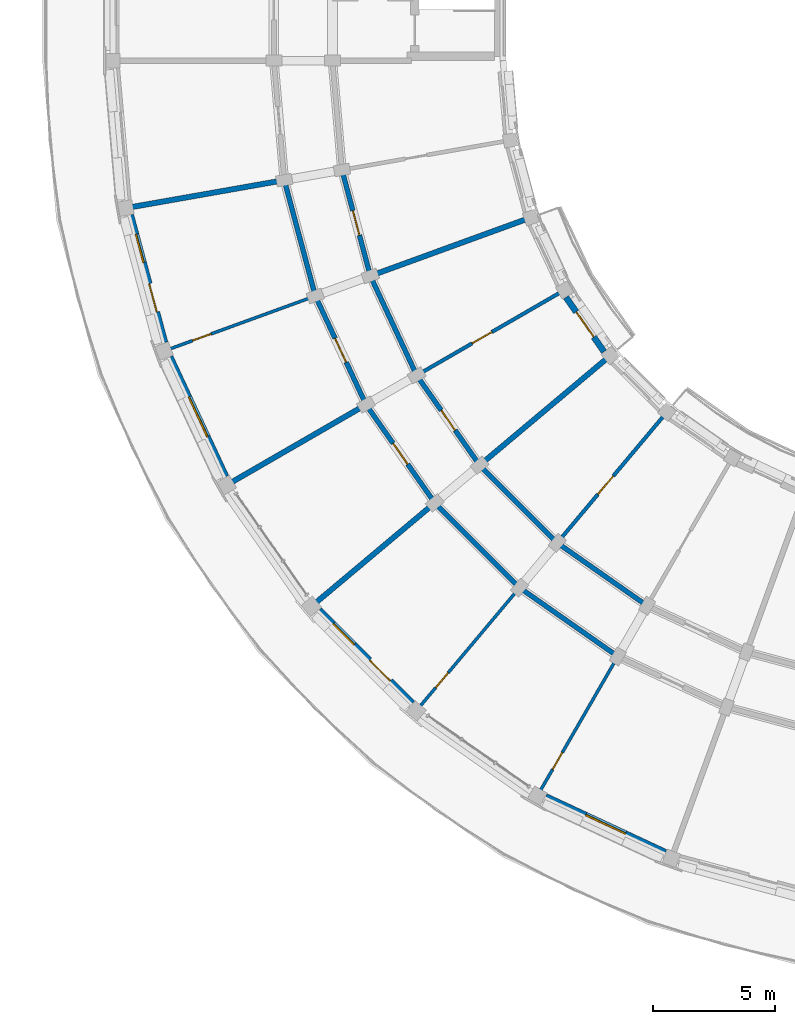
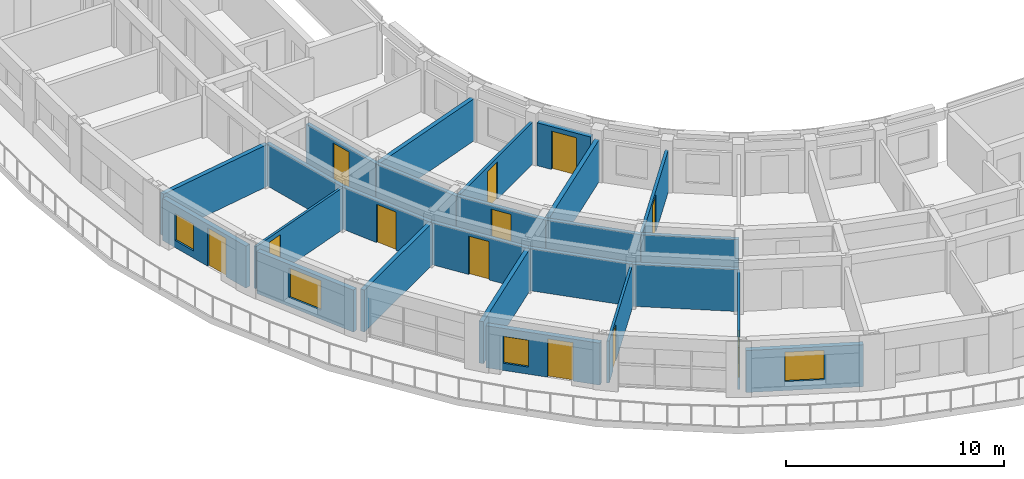
# One storey, part 16 of 53: 25 walls, 12 doors, 4 windows, 16 openings.
"""IFC4 building model written with IfcOpenShell, lengths in metres."""

from ifc_helpers import new_model, si_unit, direction, frame, frame_2d, origin, place, context, subcontext, project, spatial, rectangle, extrude, material, layer, layer_set, type_object, element, fill, save


model = new_model("IFC4")

# Units and contexts
model_context = context("Model", 3, precision=1e-05, world=origin(), true_north=direction((0.0, 1.0)))
body_context = subcontext(model_context, "Body", "Model", "MODEL_VIEW")
ifc_project = project(units=[si_unit("LENGTHUNIT", "METRE"), si_unit("AREAUNIT", "SQUARE_METRE"), si_unit("VOLUMEUNIT", "CUBIC_METRE"), si_unit("PLANEANGLEUNIT", "RADIAN"), si_unit("MASSUNIT", "GRAM", prefix="KILO")], contexts=[model_context])

# Site, building, storey
site_placement = place(None, origin())
site = spatial("IfcSite", under=ifc_project, at=site_placement, CompositionType="ELEMENT")
building_placement = place(site_placement, origin())
building = spatial("IfcBuilding", under=site, at=building_placement, Name="Kiranvali Square Residences", CompositionType="ELEMENT")
storey_placement = place(building_placement, frame((0.0, 0.0, 30.75)))
storey = spatial("IfcBuildingStorey", under=building, at=storey_placement, Name="L09", CompositionType="ELEMENT", Elevation=30.75)

# Walls
ifc_material_1 = material(Name="Autoclaved aerated concrete blockwork masonry", Category="masonry")
ifc_layer_1 = layer(ifc_material_1, 0.199951171875)
ifc_layer_set_1 = layer_set([ifc_layer_1], Name="Autoclaved aerated concrete blockwork masonry")
wall_type_1 = type_object("IfcWallType", Name="WL-COR-200", PredefinedType="STANDARD", material=ifc_layer_set_1)
wall_1_placement = place(storey_placement, frame((35.300048828125, 25.8564453125, 0.0), z_axis=(0.0, 0.0, 1.0), x_axis=(-0.819155404658, 0.573571637217, 0.0)))
element("IfcWall", 1, at=wall_1_placement, inside=storey, type_object=wall_type_1, Name="L09 architectural wall WL-L09-C-CCI-3", PredefinedType="STANDARD", context=body_context, shape_type="SweptSolid", body=[
    extrude(rectangle(XDim=4.497314453125, YDim=0.199951171875, at=frame_2d((2.24853515625, 0.0))), origin(), (0.0, 0.0, 1.0), 2.35205078125),
])
wall_2_placement = place(storey_placement, frame((34.10009765625, 23.778076171875, 0.0), z_axis=(0.0, 0.0, 1.0), x_axis=(-0.819140911474, 0.573592335331, 0.0)))
element("IfcWall", 2, at=wall_2_placement, inside=storey, type_object=wall_type_1, Name="L09 architectural wall WL-L09-C-CCO-3", PredefinedType="STANDARD", context=body_context, shape_type="SweptSolid", body=[
    extrude(rectangle(XDim=4.915771484375, YDim=0.199951171875, at=frame_2d((2.4580078125, 0.0))), origin(), (0.0, 0.0, 1.0), 2.35205078125),
])
wall_3_placement = place(storey_placement, frame((31.615966796875, 28.43603515625, 0.0), z_axis=(0.0, 0.0, 1.0), x_axis=(-0.707106781187, 0.707106781187, 0.0)))
element("IfcWall", 3, at=wall_3_placement, inside=storey, type_object=wall_type_1, Name="L09 architectural wall WL-L09-C-CCI-4", PredefinedType="STANDARD", context=body_context, shape_type="SweptSolid", body=[
    extrude(rectangle(XDim=4.4970703125, YDim=0.199951171875, at=frame_2d((2.24853515625, 0.0))), origin(), (0.0, 0.0, 1.0), 2.35205078125),
])
wall_4_placement = place(storey_placement, frame((30.073486328125, 26.59765625, 0.0), z_axis=(0.0, 0.0, 1.0), x_axis=(-0.707106781187, 0.707106781187, 0.0)))
element("IfcWall", 4, at=wall_4_placement, inside=storey, type_object=wall_type_1, Name="L09 architectural wall WL-L09-C-CCO-4", PredefinedType="STANDARD", context=body_context, shape_type="SweptSolid", body=[
    extrude(rectangle(XDim=4.91552734375, YDim=0.199951171875, at=frame_2d((2.457763671875, 0.0))), origin(), (0.0, 0.0, 1.0), 2.35205078125),
])

# Wall, opening, door
wall_5_placement = place(storey_placement, frame((28.43603515625, 31.615966796875, 0.0), z_axis=(0.0, 0.0, 1.0), x_axis=(-0.573571637217, 0.819155404658, 0.0)))
wall_5 = element("IfcWall", 5, at=wall_5_placement, inside=storey, type_object=wall_type_1, Name="L09 architectural wall WL-L09-C-CCI-5", PredefinedType="STANDARD", context=body_context, shape_type="SweptSolid", body=[
    extrude(rectangle(XDim=4.497314453125, YDim=0.199951171875, at=frame_2d((2.24853515625, 0.0))), origin(), (0.0, 0.0, 1.0), 2.35205078125),
])
opening_1_placement = place(wall_5_placement, frame((1.74853515625, 0.0, 0.0)))
opening_1 = element("IfcOpeningElement", 6, at=opening_1_placement, cuts=wall_5, Name="Opening FD-APT-60", PredefinedType="OPENING", context=body_context, shape_type="SweptSolid", body=[
    extrude(rectangle(XDim=1.0, YDim=2.14990234375, at=frame_2d((0.5, 1.074951171875))), frame((0.0, 0.10986328125, 0.0), z_axis=(0.0, -1.0, 0.0), x_axis=(1.0, 0.0, 0.0)), (0.0, 0.0, 1.0), 0.219970703125),
])
ifc_material_2 = material(Name="Fire-rated acoustic hardwood and mineral-core door assembly", Category="wood")
door_type_1 = type_object("IfcDoorType", Name="DR-APT-1000", OperationType="NOTDEFINED", PredefinedType="DOOR", material=ifc_material_2)
door_1_placement = place(opening_1_placement, frame((1.0, 0.0, 0.0), z_axis=(0.0, 0.0, 1.0), x_axis=(-1.0, 0.0, 0.0)))
door_1 = element("IfcDoor", 7, at=door_1_placement, inside=storey, type_object=door_type_1, Name="L09 door DR-L09-2288 (DR-APT-1000)", OperationType="SINGLE_SWING_RIGHT", OverallHeight=2.14990234375, OverallWidth=1.0, PredefinedType="DOOR", context=body_context, shape_type="SweptSolid", body=[
    extrude(rectangle(XDim=1.0, YDim=2.14990234375, at=frame_2d((0.5, 1.074951171875))), frame((0.0, 0.02490234375, 0.0), z_axis=(0.0, -1.0, 0.0), x_axis=(1.0, 0.0, 0.0)), (0.0, 0.0, 1.0), 0.050048828125),
])
fill(opening_1, door_1)

wall_6_placement = place(storey_placement, frame((26.59765625, 30.073486328125, 0.0), z_axis=(0.0, 0.0, 1.0), x_axis=(-0.573592335331, 0.819140911474, 0.0)))
wall_6 = element("IfcWall", 8, at=wall_6_placement, inside=storey, type_object=wall_type_1, Name="L09 architectural wall WL-L09-C-CCO-5", PredefinedType="STANDARD", context=body_context, shape_type="SweptSolid", body=[
    extrude(rectangle(XDim=4.915771484375, YDim=0.199951171875, at=frame_2d((2.4580078125, 0.0))), origin(), (0.0, 0.0, 1.0), 2.35205078125),
])
opening_2_placement = place(wall_6_placement, frame((1.937744140625, 0.0, 0.0)))
opening_2 = element("IfcOpeningElement", 9, at=opening_2_placement, cuts=wall_6, Name="Opening FD-APT-60B", PredefinedType="OPENING", context=body_context, shape_type="SweptSolid", body=[
    extrude(rectangle(XDim=1.0400390625, YDim=2.14990234375, at=frame_2d((0.52001953125, 1.074951171875))), frame((0.0, 0.10986328125, 0.0), z_axis=(0.0, -1.0, 0.0), x_axis=(1.0, 0.0, 0.0)), (0.0, 0.0, 1.0), 0.219970703125),
])
door_type_2 = type_object("IfcDoorType", Name="DR-APT-1040", OperationType="NOTDEFINED", PredefinedType="DOOR", material=ifc_material_2)
door_2_placement = place(opening_2_placement, origin())
door_2 = element("IfcDoor", 10, at=door_2_placement, inside=storey, type_object=door_type_2, Name="L09 door DR-L09-2283 (DR-APT-1040)", OperationType="SINGLE_SWING_LEFT", OverallHeight=2.14990234375, OverallWidth=1.0400390625, PredefinedType="DOOR", context=body_context, shape_type="SweptSolid", body=[
    extrude(rectangle(XDim=1.0400390625, YDim=2.14990234375, at=frame_2d((0.52001953125, 1.074951171875))), frame((0.0, 0.02490234375, 0.0), z_axis=(0.0, -1.0, 0.0), x_axis=(1.0, 0.0, 0.0)), (0.0, 0.0, 1.0), 0.050048828125),
])
fill(opening_2, door_2)

# Wall
wall_7_placement = place(storey_placement, frame((25.8564453125, 35.300048828125, 0.0), z_axis=(0.0, 0.0, 1.0), x_axis=(-0.422617978463, 0.906307919131, 0.0)))
element("IfcWall", 11, at=wall_7_placement, inside=storey, type_object=wall_type_1, Name="L09 architectural wall WL-L09-C-CCI-6", PredefinedType="STANDARD", context=body_context, shape_type="SweptSolid", body=[
    extrude(rectangle(XDim=4.497314453125, YDim=0.199951171875, at=frame_2d((2.24853515625, 0.0))), origin(), (0.0, 0.0, 1.0), 2.35205078125),
])

# Wall, opening, door
wall_8_placement = place(storey_placement, frame((23.778076171875, 34.10009765625, 0.0), z_axis=(0.0, 0.0, 1.0), x_axis=(-0.422629854778, 0.906302381024, 0.0)))
wall_8 = element("IfcWall", 12, at=wall_8_placement, inside=storey, type_object=wall_type_1, Name="L09 architectural wall WL-L09-C-CCO-6", PredefinedType="STANDARD", context=body_context, shape_type="SweptSolid", body=[
    extrude(rectangle(XDim=4.915283203125, YDim=0.199951171875, at=frame_2d((2.45751953125, 0.0))), origin(), (0.0, 0.0, 1.0), 2.35205078125),
])
opening_3_placement = place(wall_8_placement, frame((1.917724609375, 0.0, 0.0)))
opening_3 = element("IfcOpeningElement", 13, at=opening_3_placement, cuts=wall_8, Name="Opening FD-APT-60C", PredefinedType="OPENING", context=body_context, shape_type="SweptSolid", body=[
    extrude(rectangle(XDim=1.080078125, YDim=2.14990234375, at=frame_2d((0.5400390625, 1.074951171875))), frame((0.0, 0.10986328125, 0.0), z_axis=(0.0, -1.0, 0.0), x_axis=(1.0, 0.0, 0.0)), (0.0, 0.0, 1.0), 0.219970703125),
])
door_type_3 = type_object("IfcDoorType", Name="DR-APT-1080", OperationType="NOTDEFINED", PredefinedType="DOOR", material=ifc_material_2)
door_3_placement = place(opening_3_placement, frame((1.080078125, 0.0, 0.0), z_axis=(0.0, 0.0, 1.0), x_axis=(-1.0, 0.0, 0.0)))
door_3 = element("IfcDoor", 14, at=door_3_placement, inside=storey, type_object=door_type_3, Name="L09 door DR-L09-2284 (DR-APT-1080)", OperationType="SINGLE_SWING_RIGHT", OverallHeight=2.14990234375, OverallWidth=1.080078125, PredefinedType="DOOR", context=body_context, shape_type="SweptSolid", body=[
    extrude(rectangle(XDim=1.080078125, YDim=2.14990234375, at=frame_2d((0.5400390625, 1.074951171875))), frame((0.0, 0.02490234375, 0.0), z_axis=(0.0, -1.0, 0.0), x_axis=(1.0, 0.0, 0.0)), (0.0, 0.0, 1.0), 0.050048828125),
])
fill(opening_3, door_3)

wall_9_placement = place(storey_placement, frame((23.955810546875, 39.3759765625, 0.0), z_axis=(0.0, 0.0, 1.0), x_axis=(-0.258787642463, 0.965934240054, 0.0)))
wall_9 = element("IfcWall", 15, at=wall_9_placement, inside=storey, type_object=wall_type_1, Name="L09 architectural wall WL-L09-C-CCI-7", PredefinedType="STANDARD", context=body_context, shape_type="SweptSolid", body=[
    extrude(rectangle(XDim=4.497314453125, YDim=0.199951171875, at=frame_2d((2.24853515625, 0.0))), origin(), (0.0, 0.0, 1.0), 2.35205078125),
])
opening_4_placement = place(wall_9_placement, frame((1.728515625, 0.0, 0.0)))
opening_4 = element("IfcOpeningElement", 16, at=opening_4_placement, cuts=wall_9, Name="Opening FD-APT-60B", PredefinedType="OPENING", context=body_context, shape_type="SweptSolid", body=[
    extrude(rectangle(XDim=1.0400390625, YDim=2.14990234375, at=frame_2d((0.52001953125, 1.074951171875))), frame((0.0, 0.10986328125, 0.0), z_axis=(0.0, -1.0, 0.0), x_axis=(1.0, 0.0, 0.0)), (0.0, 0.0, 1.0), 0.219970703125),
])
door_4_placement = place(opening_4_placement, origin())
door_4 = element("IfcDoor", 17, at=door_4_placement, inside=storey, type_object=door_type_2, Name="L09 door DR-L09-2289 (DR-APT-1040)", OperationType="SINGLE_SWING_LEFT", OverallHeight=2.14990234375, OverallWidth=1.0400390625, PredefinedType="DOOR", context=body_context, shape_type="SweptSolid", body=[
    extrude(rectangle(XDim=1.0400390625, YDim=2.14990234375, at=frame_2d((0.52001953125, 1.074951171875))), frame((0.0, 0.02490234375, 0.0), z_axis=(0.0, -1.0, 0.0), x_axis=(1.0, 0.0, 0.0)), (0.0, 0.0, 1.0), 0.050048828125),
])
fill(opening_4, door_4)

# Walls
wall_10_placement = place(storey_placement, frame((21.70068359375, 38.554931640625, 0.0), z_axis=(0.0, 0.0, 1.0), x_axis=(-0.258803112091, 0.965930095386, 0.0)))
element("IfcWall", 18, at=wall_10_placement, inside=storey, type_object=wall_type_1, Name="L09 architectural wall WL-L09-C-CCO-7", PredefinedType="STANDARD", context=body_context, shape_type="SweptSolid", body=[
    extrude(rectangle(XDim=4.915771484375, YDim=0.199951171875, at=frame_2d((2.4580078125, 0.0))), origin(), (0.0, 0.0, 1.0), 2.35205078125),
])
ifc_layer_2 = layer(ifc_material_1, 0.219970703125)
ifc_layer_set_2 = layer_set([ifc_layer_2], Name="Autoclaved aerated concrete blockwork masonry")
wall_type_2 = type_object("IfcWallType", Name="WL-DEM-220", PredefinedType="STANDARD", material=ifc_layer_set_2)
wall_11_placement = place(storey_placement, frame((33.645263671875, 35.987060546875, 0.0), z_axis=(0.0, 0.0, 1.0), x_axis=(-0.766046761698, -0.642784846501, 0.0)))
element("IfcWall", 19, at=wall_11_placement, inside=storey, type_object=wall_type_2, Name="L09 architectural wall WL-L09-C-RADI-5", PredefinedType="STANDARD", context=body_context, shape_type="SweptSolid", body=[
    extrude(rectangle(XDim=6.75, YDim=0.219970703125, at=frame_2d((3.375, 0.0))), origin(), (0.0, 0.0, 1.0), 2.35205078125),
])
for number, where, z_axis, x_axis, name in (
    (20, (26.52099609375, 30.009033203125, 0.0), (0.0, 0.0, 1.0), (-0.766058117009, -0.642771313427, 0.0), "L09 architectural wall WL-L09-C-RADO-5"),
    (21, (23.69140625, 34.050048828125, 0.0), (0.0, 0.0, 1.0), (-0.866019562905, -0.500010116563, 0.0), "L09 architectural wall WL-L09-C-RADO-6"),
):
    element("IfcWall", number, at=place(storey_placement, frame(where, z_axis=z_axis, x_axis=x_axis)), inside=storey, type_object=wall_type_2, Name=name, PredefinedType="STANDARD", context=body_context, shape_type="SweptSolid", body=[
        extrude(rectangle(XDim=6.219970703125, YDim=0.219970703125, at=frame_2d((3.10986328125, 0.0))), origin(), (0.0, 0.0, 1.0), 2.35205078125),
    ])
wall_12_placement = place(storey_placement, frame((30.345947265625, 41.70166015625, 0.0), z_axis=(0.0, 0.0, 1.0), x_axis=(-0.939696231917, -0.342010221662, 0.0)))
element("IfcWall", 22, at=wall_12_placement, inside=storey, type_object=wall_type_2, Name="L09 architectural wall WL-L09-C-RADI-7", PredefinedType="STANDARD", context=body_context, shape_type="SweptSolid", body=[
    extrude(rectangle(XDim=6.75, YDim=0.219970703125, at=frame_2d((3.375, 0.0))), origin(), (0.0, 0.0, 1.0), 2.35205078125),
])
wall_13_placement = place(storey_placement, frame((20.329833984375, 43.28564453125, 0.0), z_axis=(0.0, 0.0, 1.0), x_axis=(-0.98480804799, -0.173646504755, 0.0)))
element("IfcWall", 23, at=wall_13_placement, inside=storey, type_object=wall_type_2, Name="L09 architectural wall WL-L09-C-RADO-8", PredefinedType="STANDARD", context=body_context, shape_type="SweptSolid", body=[
    extrude(rectangle(XDim=6.219970703125, YDim=0.219970703125, at=frame_2d((3.10986328125, 0.0))), origin(), (0.0, 0.0, 1.0), 2.35205078125),
])

# Wall, opening, window
ifc_material_3 = material(Name="Breathable lime-rendered clay brick masonry", Category="masonry")
ifc_layer_3 = layer(ifc_material_3, 0.25)
ifc_layer_set_3 = layer_set([ifc_layer_3], Name="Breathable lime-rendered clay brick masonry")
wall_type_3 = type_object("IfcWallType", Name="WL-EXT-250", PredefinedType="STANDARD", material=ifc_layer_set_3)
wall_14_placement = place(storey_placement, frame((36.055419921875, 15.74951171875, 0.0), z_axis=(0.0, 0.0, 1.0), x_axis=(-0.90629483869, 0.42264602845, 0.0)))
wall_14 = element("IfcWall", 24, at=wall_14_placement, inside=storey, type_object=wall_type_3, Name="L09 exterior wall C-L09-CRV-02", PredefinedType="STANDARD", context=body_context, shape_type="SweptSolid", body=[
    extrude(rectangle(XDim=5.414794921875, YDim=0.25, at=frame_2d((2.70751953125, 0.0))), origin(), (0.0, 0.0, 1.0), 2.35205078125),
])
opening_5_placement = place(wall_14_placement, frame((1.807373046875, 0.0, 0.501953125)))
opening_5 = element("IfcOpeningElement", 25, at=opening_5_placement, cuts=wall_14, Name="Opening W-04", PredefinedType="OPENING", context=body_context, shape_type="SweptSolid", body=[
    extrude(rectangle(XDim=1.800048828125, YDim=1.64990234375, at=frame_2d((0.89990234375, 0.824951171875))), frame((0.0, 0.135009765625, 0.0), z_axis=(0.0, -1.0, 0.0), x_axis=(1.0, 0.0, 0.0)), (0.0, 0.0, 1.0), 0.27001953125),
])
ifc_material_4 = material(Name="Solar-control low-e double glazing", Category="glass")
window_type_1 = type_object("IfcWindowType", Name="WIN-RES-1800x1650", PartitioningType="DOUBLE_PANEL_VERTICAL", PredefinedType="WINDOW", material=ifc_material_4)
window_1_placement = place(opening_5_placement, origin())
window_1 = element("IfcWindow", 26, at=window_1_placement, inside=storey, type_object=window_type_1, Name="L09 recessed window C-L09-CRV-02", OverallHeight=1.64990234375, OverallWidth=1.800048828125, PartitioningType="DOUBLE_PANEL_VERTICAL", PredefinedType="WINDOW", context=body_context, shape_type="SweptSolid", body=[
    extrude(rectangle(XDim=1.800048828125, YDim=1.64990234375, at=frame_2d((0.89990234375, 0.824951171875))), frame((0.0, 0.030029296875, 0.0), z_axis=(0.0, -1.0, 0.0), x_axis=(1.0, 0.0, 0.0)), (0.0, 0.0, 1.0), 0.06005859375),
])
fill(opening_5, window_1)

# Wall, openings, door, window
wall_15_placement = place(storey_placement, frame((25.689208984375, 21.8603515625, 0.0), z_axis=(0.0, 0.0, 1.0), x_axis=(-0.707106781187, 0.707106781187, 0.0)))
wall_15 = element("IfcWall", 27, at=wall_15_placement, inside=storey, type_object=wall_type_3, Name="L09 exterior wall C-L09-CRV-04", PredefinedType="STANDARD", context=body_context, shape_type="SweptSolid", body=[
    extrude(rectangle(XDim=5.414794921875, YDim=0.25, at=frame_2d((2.70751953125, 0.0))), origin(), (0.0, 0.0, 1.0), 2.35205078125),
])
opening_6_placement = place(wall_15_placement, frame((3.395263671875, 0.0, 0.402099609375)))
opening_6 = element("IfcOpeningElement", 28, at=opening_6_placement, cuts=wall_15, Name="Opening W-06", PredefinedType="OPENING", context=body_context, shape_type="SweptSolid", body=[
    extrude(rectangle(XDim=1.199951171875, YDim=1.5, at=frame_2d((0.60009765625, 0.75))), frame((0.0, 0.135009765625, 0.0), z_axis=(0.0, -1.0, 0.0), x_axis=(1.0, 0.0, 0.0)), (0.0, 0.0, 1.0), 0.27001953125),
])
opening_7_placement = place(wall_15_placement, frame((1.295166015625, 0.0, 0.0)))
opening_7 = element("IfcOpeningElement", 29, at=opening_7_placement, cuts=wall_15, Name="Opening ED-BAL-1", PredefinedType="OPENING", context=body_context, shape_type="SweptSolid", body=[
    extrude(rectangle(XDim=1.199951171875, YDim=2.14990234375, at=frame_2d((0.60009765625, 1.074951171875))), frame((0.0, 0.135009765625, 0.0), z_axis=(0.0, -1.0, 0.0), x_axis=(1.0, 0.0, 0.0)), (0.0, 0.0, 1.0), 0.27001953125),
])
ifc_material_5 = material(Name="Anodised bronze aluminium framing", Category="aluminium")
door_type_4 = type_object("IfcDoorType", Name="DR-BAL-1200", OperationType="NOTDEFINED", PredefinedType="DOOR", material=ifc_material_5)
door_5_placement = place(opening_7_placement, origin())
door_5 = element("IfcDoor", 30, at=door_5_placement, inside=storey, type_object=door_type_4, Name="L09 balcony terrace door", OperationType="SINGLE_SWING_LEFT", OverallHeight=2.14990234375, OverallWidth=1.199951171875, PredefinedType="DOOR", context=body_context, shape_type="SweptSolid", body=[
    extrude(rectangle(XDim=1.199951171875, YDim=2.14990234375, at=frame_2d((0.60009765625, 1.074951171875))), frame((0.0, 0.02490234375, 0.0), z_axis=(0.0, -1.0, 0.0), x_axis=(1.0, 0.0, 0.0)), (0.0, 0.0, 1.0), 0.050048828125),
])
fill(opening_7, door_5)
window_type_2 = type_object("IfcWindowType", Name="WIN-RES-1200x1500", PartitioningType="SINGLE_PANEL", PredefinedType="WINDOW", material=ifc_material_4)
window_2_placement = place(opening_6_placement, origin())
window_2 = element("IfcWindow", 31, at=window_2_placement, inside=storey, type_object=window_type_2, Name="L09 recessed window C-L09-CRV-04", OverallHeight=1.5, OverallWidth=1.199951171875, PartitioningType="SINGLE_PANEL", PredefinedType="WINDOW", context=body_context, shape_type="SweptSolid", body=[
    extrude(rectangle(XDim=1.199951171875, YDim=1.5, at=frame_2d((0.60009765625, 0.75))), frame((0.0, 0.030029296875, 0.0), z_axis=(0.0, -1.0, 0.0), x_axis=(1.0, 0.0, 0.0)), (0.0, 0.0, 1.0), 0.06005859375),
])
fill(opening_6, window_2)

# Wall, opening, window
wall_16_placement = place(storey_placement, frame((18.0380859375, 31.14794921875, 0.0), z_axis=(0.0, 0.0, 1.0), x_axis=(-0.42264602845, 0.90629483869, 0.0)))
wall_16 = element("IfcWall", 32, at=wall_16_placement, inside=storey, type_object=wall_type_3, Name="L09 exterior wall C-L09-CRV-06", PredefinedType="STANDARD", context=body_context, shape_type="SweptSolid", body=[
    extrude(rectangle(XDim=5.414794921875, YDim=0.25, at=frame_2d((2.70751953125, 0.0))), origin(), (0.0, 0.0, 1.0), 2.35205078125),
])
opening_8_placement = place(wall_16_placement, frame((1.807373046875, 0.0, 0.501953125)))
opening_8 = element("IfcOpeningElement", 33, at=opening_8_placement, cuts=wall_16, Name="Opening W-04", PredefinedType="OPENING", context=body_context, shape_type="SweptSolid", body=[
    extrude(rectangle(XDim=1.800048828125, YDim=1.64990234375, at=frame_2d((0.89990234375, 0.824951171875))), frame((0.0, 0.135009765625, 0.0), z_axis=(0.0, -1.0, 0.0), x_axis=(1.0, 0.0, 0.0)), (0.0, 0.0, 1.0), 0.27001953125),
])
window_3_placement = place(opening_8_placement, origin())
window_3 = element("IfcWindow", 34, at=window_3_placement, inside=storey, type_object=window_type_1, Name="L09 recessed window C-L09-CRV-06", OverallHeight=1.64990234375, OverallWidth=1.800048828125, PartitioningType="DOUBLE_PANEL_VERTICAL", PredefinedType="WINDOW", context=body_context, shape_type="SweptSolid", body=[
    extrude(rectangle(XDim=1.800048828125, YDim=1.64990234375, at=frame_2d((0.89990234375, 0.824951171875))), frame((0.0, 0.030029296875, 0.0), z_axis=(0.0, -1.0, 0.0), x_axis=(1.0, 0.0, 0.0)), (0.0, 0.0, 1.0), 0.06005859375),
])
fill(opening_8, window_3)

# Wall, openings, door, window
wall_17_placement = place(storey_placement, frame((15.53515625, 36.64453125, 0.0), z_axis=(0.0, 0.0, 1.0), x_axis=(-0.258807453254, 0.965928932241, 0.0)))
wall_17 = element("IfcWall", 35, at=wall_17_placement, inside=storey, type_object=wall_type_3, Name="L09 exterior wall C-L09-CRV-07", PredefinedType="STANDARD", context=body_context, shape_type="SweptSolid", body=[
    extrude(rectangle(XDim=5.414794921875, YDim=0.25, at=frame_2d((2.70751953125, 0.0))), origin(), (0.0, 0.0, 1.0), 2.35205078125),
])
opening_9_placement = place(wall_17_placement, frame((3.395263671875, 0.0, 0.402099609375)))
opening_9 = element("IfcOpeningElement", 36, at=opening_9_placement, cuts=wall_17, Name="Opening W-06", PredefinedType="OPENING", context=body_context, shape_type="SweptSolid", body=[
    extrude(rectangle(XDim=1.199951171875, YDim=1.5, at=frame_2d((0.60009765625, 0.75))), frame((0.0, 0.135009765625, 0.0), z_axis=(0.0, -1.0, 0.0), x_axis=(1.0, 0.0, 0.0)), (0.0, 0.0, 1.0), 0.27001953125),
])
opening_10_placement = place(wall_17_placement, frame((1.295166015625, 0.0, 0.0)))
opening_10 = element("IfcOpeningElement", 37, at=opening_10_placement, cuts=wall_17, Name="Opening ED-BAL-1", PredefinedType="OPENING", context=body_context, shape_type="SweptSolid", body=[
    extrude(rectangle(XDim=1.199951171875, YDim=2.14990234375, at=frame_2d((0.60009765625, 1.074951171875))), frame((0.0, 0.135009765625, 0.0), z_axis=(0.0, -1.0, 0.0), x_axis=(1.0, 0.0, 0.0)), (0.0, 0.0, 1.0), 0.27001953125),
])
door_6_placement = place(opening_10_placement, origin())
door_6 = element("IfcDoor", 38, at=door_6_placement, inside=storey, type_object=door_type_4, Name="L09 balcony terrace door", OperationType="SINGLE_SWING_RIGHT", OverallHeight=2.14990234375, OverallWidth=1.199951171875, PredefinedType="DOOR", context=body_context, shape_type="SweptSolid", body=[
    extrude(rectangle(XDim=1.199951171875, YDim=2.14990234375, at=frame_2d((0.60009765625, 1.074951171875))), frame((0.0, 0.02490234375, 0.0), z_axis=(0.0, -1.0, 0.0), x_axis=(1.0, 0.0, 0.0)), (0.0, 0.0, 1.0), 0.050048828125),
])
fill(opening_10, door_6)
window_4_placement = place(opening_9_placement, origin())
window_4 = element("IfcWindow", 39, at=window_4_placement, inside=storey, type_object=window_type_2, Name="L09 recessed window C-L09-CRV-07", OverallHeight=1.5, OverallWidth=1.199951171875, PartitioningType="SINGLE_PANEL", PredefinedType="WINDOW", context=body_context, shape_type="SweptSolid", body=[
    extrude(rectangle(XDim=1.199951171875, YDim=1.5, at=frame_2d((0.60009765625, 0.75))), frame((0.0, 0.030029296875, 0.0), z_axis=(0.0, -1.0, 0.0), x_axis=(1.0, 0.0, 0.0)), (0.0, 0.0, 1.0), 0.06005859375),
])
fill(opening_9, window_4)

# Wall, opening, door
wall_18_placement = place(storey_placement, frame((33.5361328125, 36.272216796875, 0.0), z_axis=(0.0, 0.0, 1.0), x_axis=(-0.573612950921, 0.819126475299, 0.0)))
wall_18 = element("IfcWall", 40, at=wall_18_placement, inside=storey, type_object=wall_type_3, Name="L09 exterior wall C-L09-GDN-05", PredefinedType="STANDARD", context=body_context, shape_type="SweptSolid", body=[
    extrude(rectangle(XDim=2.7197265625, YDim=0.25, at=frame_2d((1.35986328125, 0.0))), origin(), (0.0, 0.0, 1.0), 2.402099609375),
])
opening_11_placement = place(wall_18_placement, frame((0.72998046875, 0.0, 0.0)))
opening_11 = element("IfcOpeningElement", 41, at=opening_11_placement, cuts=wall_18, Name="Opening ED-BAL-2", PredefinedType="OPENING", context=body_context, shape_type="SweptSolid", body=[
    extrude(rectangle(XDim=1.260009765625, YDim=2.14990234375, at=frame_2d((0.6298828125, 1.074951171875))), frame((0.0, 0.135009765625, 0.0), z_axis=(0.0, -1.0, 0.0), x_axis=(1.0, 0.0, 0.0)), (0.0, 0.0, 1.0), 0.27001953125),
])
door_type_5 = type_object("IfcDoorType", Name="DR-BAL-1260", OperationType="NOTDEFINED", PredefinedType="DOOR", material=ifc_material_5)
door_7_placement = place(opening_11_placement, frame((1.260009765625, 0.0, 0.0), z_axis=(0.0, 0.0, 1.0), x_axis=(-1.0, 0.0, 0.0)))
door_7 = element("IfcDoor", 42, at=door_7_placement, inside=storey, type_object=door_type_5, Name="L09 balcony terrace door", OperationType="SINGLE_SWING_RIGHT", OverallHeight=2.14990234375, OverallWidth=1.260009765625, PredefinedType="DOOR", context=body_context, shape_type="SweptSolid", body=[
    extrude(rectangle(XDim=1.260009765625, YDim=2.14990234375, at=frame_2d((0.6298828125, 1.074951171875))), frame((0.0, 0.02490234375, 0.0), z_axis=(0.0, -1.0, 0.0), x_axis=(1.0, 0.0, 0.0)), (0.0, 0.0, 1.0), 0.050048828125),
])
fill(opening_11, door_7)

ifc_material_6 = material(Name="Acoustic gypsum board drylined partition", Category="gypsum")
ifc_layer_4 = layer(ifc_material_6, 0.125)
ifc_layer_set_4 = layer_set([ifc_layer_4], Name="Acoustic gypsum board drylined partition")
wall_type_4 = type_object("IfcWallType", Name="WL-PRT-125", PredefinedType="PARTITIONING", material=ifc_layer_set_4)
wall_19_placement = place(storey_placement, frame((34.050048828125, 23.69140625, 0.0), z_axis=(0.0, 0.0, 1.0), x_axis=(-0.500010116563, -0.866019562905, 0.0)))
wall_19 = element("IfcWall", 43, at=wall_19_placement, inside=storey, type_object=wall_type_4, Name="L09 architectural wall WL-L09-C-RADO-3", PredefinedType="PARTITIONING", context=body_context, shape_type="SweptSolid", body=[
    extrude(rectangle(XDim=6.219970703125, YDim=0.125, at=frame_2d((3.10986328125, 0.0))), origin(), (0.0, 0.0, 1.0), 2.35205078125),
])
opening_12_placement = place(wall_19_placement, frame((4.44970703125, 0.0, 0.0)))
opening_12 = element("IfcOpeningElement", 44, at=opening_12_placement, cuts=wall_19, Name="Opening ID-WET", PredefinedType="OPENING", context=body_context, shape_type="SweptSolid", body=[
    extrude(rectangle(XDim=0.800048828125, YDim=2.10009765625, at=frame_2d((0.39990234375, 1.050048828125))), frame((0.0, 0.072509765625, 0.0), z_axis=(0.0, -1.0, 0.0), x_axis=(1.0, 0.0, 0.0)), (0.0, 0.0, 1.0), 0.14501953125),
])
ifc_material_7 = material(Name="Solid seasoned teak hardwood joinery", Category="wood")
door_type_6 = type_object("IfcDoorType", Name="DR-WET-800", OperationType="NOTDEFINED", PredefinedType="DOOR", material=ifc_material_7)
door_8_placement = place(opening_12_placement, origin())
door_8 = element("IfcDoor", 45, at=door_8_placement, inside=storey, type_object=door_type_6, Name="L09 door DR-L09-2275 (DR-WET-800)", OperationType="SINGLE_SWING_LEFT", OverallHeight=2.10009765625, OverallWidth=0.800048828125, PredefinedType="DOOR", context=body_context, shape_type="SweptSolid", body=[
    extrude(rectangle(XDim=0.800048828125, YDim=2.10009765625, at=frame_2d((0.39990234375, 1.050048828125))), frame((0.0, 0.02490234375, 0.0), z_axis=(0.0, -1.0, 0.0), x_axis=(1.0, 0.0, 0.0)), (0.0, 0.0, 1.0), 0.050048828125),
])
fill(opening_12, door_8)

wall_20_placement = place(storey_placement, frame((30.009033203125, 26.52099609375, 0.0), z_axis=(0.0, 0.0, 1.0), x_axis=(-0.642771313427, -0.766058117009, 0.0)))
wall_20 = element("IfcWall", 46, at=wall_20_placement, inside=storey, type_object=wall_type_4, Name="L09 architectural wall WL-L09-C-RADO-4", PredefinedType="PARTITIONING", context=body_context, shape_type="SweptSolid", body=[
    extrude(rectangle(XDim=6.219970703125, YDim=0.125, at=frame_2d((3.10986328125, 0.0))), origin(), (0.0, 0.0, 1.0), 2.35205078125),
])
opening_13_placement = place(wall_20_placement, frame((4.44970703125, 0.0, 0.0)))
opening_13 = element("IfcOpeningElement", 47, at=opening_13_placement, cuts=wall_20, Name="Opening ID-WET", PredefinedType="OPENING", context=body_context, shape_type="SweptSolid", body=[
    extrude(rectangle(XDim=0.800048828125, YDim=2.10009765625, at=frame_2d((0.39990234375, 1.050048828125))), frame((0.0, 0.072509765625, 0.0), z_axis=(0.0, -1.0, 0.0), x_axis=(1.0, 0.0, 0.0)), (0.0, 0.0, 1.0), 0.14501953125),
])
door_9_placement = place(opening_13_placement, origin())
door_9 = element("IfcDoor", 48, at=door_9_placement, inside=storey, type_object=door_type_6, Name="L09 door DR-L09-2277 (DR-WET-800)", OperationType="SINGLE_SWING_LEFT", OverallHeight=2.10009765625, OverallWidth=0.800048828125, PredefinedType="DOOR", context=body_context, shape_type="SweptSolid", body=[
    extrude(rectangle(XDim=0.800048828125, YDim=2.10009765625, at=frame_2d((0.39990234375, 1.050048828125))), frame((0.0, 0.02490234375, 0.0), z_axis=(0.0, -1.0, 0.0), x_axis=(1.0, 0.0, 0.0)), (0.0, 0.0, 1.0), 0.050048828125),
])
fill(opening_13, door_9)

wall_21_placement = place(storey_placement, frame((21.606689453125, 38.520751953125, 0.0), z_axis=(0.0, 0.0, 1.0), x_axis=(-0.939702855871, -0.341992021352, 0.0)))
wall_21 = element("IfcWall", 49, at=wall_21_placement, inside=storey, type_object=wall_type_4, Name="L09 architectural wall WL-L09-C-RADO-7", PredefinedType="PARTITIONING", context=body_context, shape_type="SweptSolid", body=[
    extrude(rectangle(XDim=6.219970703125, YDim=0.125, at=frame_2d((3.10986328125, 0.0))), origin(), (0.0, 0.0, 1.0), 2.35205078125),
])
opening_14_placement = place(wall_21_placement, frame((4.44970703125, 0.0, 0.0)))
opening_14 = element("IfcOpeningElement", 50, at=opening_14_placement, cuts=wall_21, Name="Opening ID-WET", PredefinedType="OPENING", context=body_context, shape_type="SweptSolid", body=[
    extrude(rectangle(XDim=0.800048828125, YDim=2.10009765625, at=frame_2d((0.39990234375, 1.050048828125))), frame((0.0, 0.072509765625, 0.0), z_axis=(0.0, -1.0, 0.0), x_axis=(1.0, 0.0, 0.0)), (0.0, 0.0, 1.0), 0.14501953125),
])
door_10_placement = place(opening_14_placement, origin())
door_10 = element("IfcDoor", 51, at=door_10_placement, inside=storey, type_object=door_type_6, Name="L09 door DR-L09-2279 (DR-WET-800)", OperationType="SINGLE_SWING_LEFT", OverallHeight=2.10009765625, OverallWidth=0.800048828125, PredefinedType="DOOR", context=body_context, shape_type="SweptSolid", body=[
    extrude(rectangle(XDim=0.800048828125, YDim=2.10009765625, at=frame_2d((0.39990234375, 1.050048828125))), frame((0.0, 0.02490234375, 0.0), z_axis=(0.0, -1.0, 0.0), x_axis=(1.0, 0.0, 0.0)), (0.0, 0.0, 1.0), 0.050048828125),
])
fill(opening_14, door_10)

ifc_layer_5 = layer(ifc_material_6, 0.14990234375)
ifc_layer_set_5 = layer_set([ifc_layer_5], Name="Acoustic gypsum board drylined partition")
wall_type_5 = type_object("IfcWallType", Name="WL-PRT-150", PredefinedType="PARTITIONING", material=ifc_layer_set_5)
wall_22_placement = place(storey_placement, frame((35.987060546875, 33.645263671875, 0.0), z_axis=(0.0, 0.0, 1.0), x_axis=(-0.642784846501, -0.766046761698, 0.0)))
wall_22 = element("IfcWall", 52, at=wall_22_placement, inside=storey, type_object=wall_type_5, Name="L09 architectural wall WL-L09-C-RADI-4", PredefinedType="PARTITIONING", context=body_context, shape_type="SweptSolid", body=[
    extrude(rectangle(XDim=6.75, YDim=0.14990234375, at=frame_2d((3.375, 0.0))), origin(), (0.0, 0.0, 1.0), 2.35205078125),
])
opening_15_placement = place(wall_22_placement, frame((3.222412109375, 0.0, 0.0)))
opening_15 = element("IfcOpeningElement", 53, at=opening_15_placement, cuts=wall_22, Name="Opening ID-3", PredefinedType="OPENING", context=body_context, shape_type="SweptSolid", body=[
    extrude(rectangle(XDim=0.97998046875, YDim=2.1201171875, at=frame_2d((0.489990234375, 1.06005859375))), frame((0.0, 0.0849609375, 0.0), z_axis=(0.0, -1.0, 0.0), x_axis=(1.0, 0.0, 0.0)), (0.0, 0.0, 1.0), 0.169921875),
])
door_type_7 = type_object("IfcDoorType", Name="DR-INT-980", OperationType="NOTDEFINED", PredefinedType="DOOR", material=ifc_material_7)
door_11_placement = place(opening_15_placement, frame((0.97998046875, 0.0, 0.0), z_axis=(0.0, 0.0, 1.0), x_axis=(-1.0, 0.0, 0.0)))
door_11 = element("IfcDoor", 54, at=door_11_placement, inside=storey, type_object=door_type_7, Name="L09 door DR-L09-2276 (DR-INT-980)", OperationType="SINGLE_SWING_RIGHT", OverallHeight=2.1201171875, OverallWidth=0.97998046875, PredefinedType="DOOR", context=body_context, shape_type="SweptSolid", body=[
    extrude(rectangle(XDim=0.97998046875, YDim=2.1201171875, at=frame_2d((0.489990234375, 1.06005859375))), frame((0.0, 0.02490234375, 0.0), z_axis=(0.0, -1.0, 0.0), x_axis=(1.0, 0.0, 0.0)), (0.0, 0.0, 1.0), 0.050048828125),
])
fill(opening_15, door_11)

wall_23_placement = place(storey_placement, frame((31.74560546875, 38.699951171875, 0.0), z_axis=(0.0, 0.0, 1.0), x_axis=(-0.866026575979, -0.499997969693, 0.0)))
wall_23 = element("IfcWall", 55, at=wall_23_placement, inside=storey, type_object=wall_type_5, Name="L09 architectural wall WL-L09-C-RADI-6", PredefinedType="PARTITIONING", context=body_context, shape_type="SweptSolid", body=[
    extrude(rectangle(XDim=6.75, YDim=0.14990234375, at=frame_2d((3.375, 0.0))), origin(), (0.0, 0.0, 1.0), 2.35205078125),
])
opening_16_placement = place(wall_23_placement, frame((3.242431640625, 0.0, 0.0)))
opening_16 = element("IfcOpeningElement", 56, at=opening_16_placement, cuts=wall_23, Name="Opening ID-2", PredefinedType="OPENING", context=body_context, shape_type="SweptSolid", body=[
    extrude(rectangle(XDim=0.93994140625, YDim=2.10009765625, at=frame_2d((0.469970703125, 1.050048828125))), frame((0.0, 0.0849609375, 0.0), z_axis=(0.0, -1.0, 0.0), x_axis=(1.0, 0.0, 0.0)), (0.0, 0.0, 1.0), 0.169921875),
])
door_type_8 = type_object("IfcDoorType", Name="DR-INT-940", OperationType="NOTDEFINED", PredefinedType="DOOR", material=ifc_material_7)
door_12_placement = place(opening_16_placement, frame((0.93994140625, 0.0, 0.0), z_axis=(0.0, 0.0, 1.0), x_axis=(-1.0, 0.0, 0.0)))
door_12 = element("IfcDoor", 57, at=door_12_placement, inside=storey, type_object=door_type_8, Name="L09 door DR-L09-2278 (DR-INT-940)", OperationType="SINGLE_SWING_RIGHT", OverallHeight=2.10009765625, OverallWidth=0.93994140625, PredefinedType="DOOR", context=body_context, shape_type="SweptSolid", body=[
    extrude(rectangle(XDim=0.93994140625, YDim=2.10009765625, at=frame_2d((0.469970703125, 1.050048828125))), frame((0.0, 0.02490234375, 0.0), z_axis=(0.0, -1.0, 0.0), x_axis=(1.0, 0.0, 0.0)), (0.0, 0.0, 1.0), 0.050048828125),
])
fill(opening_16, door_12)

save(model, "model.ifc")
